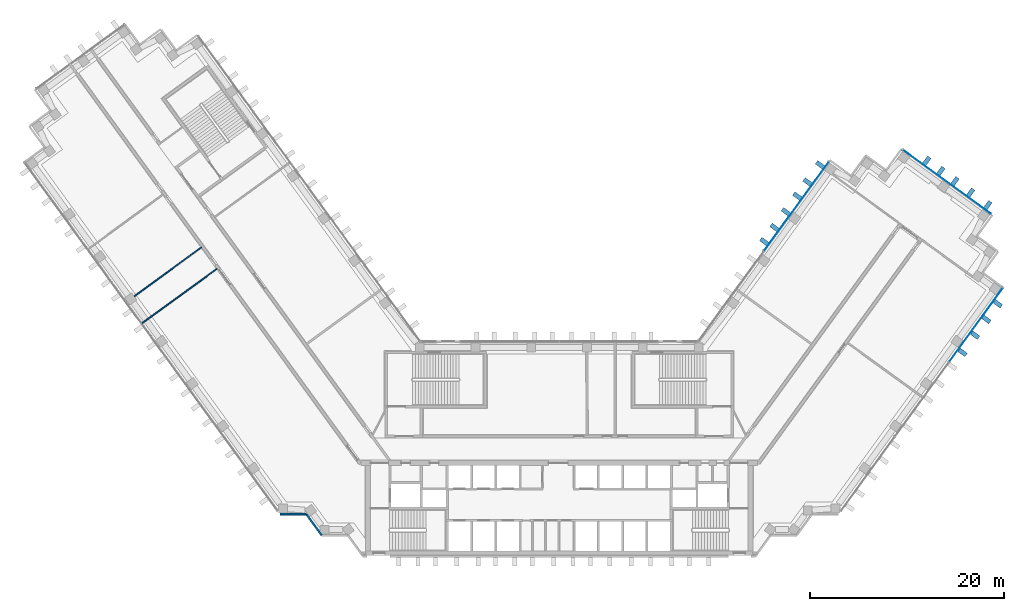
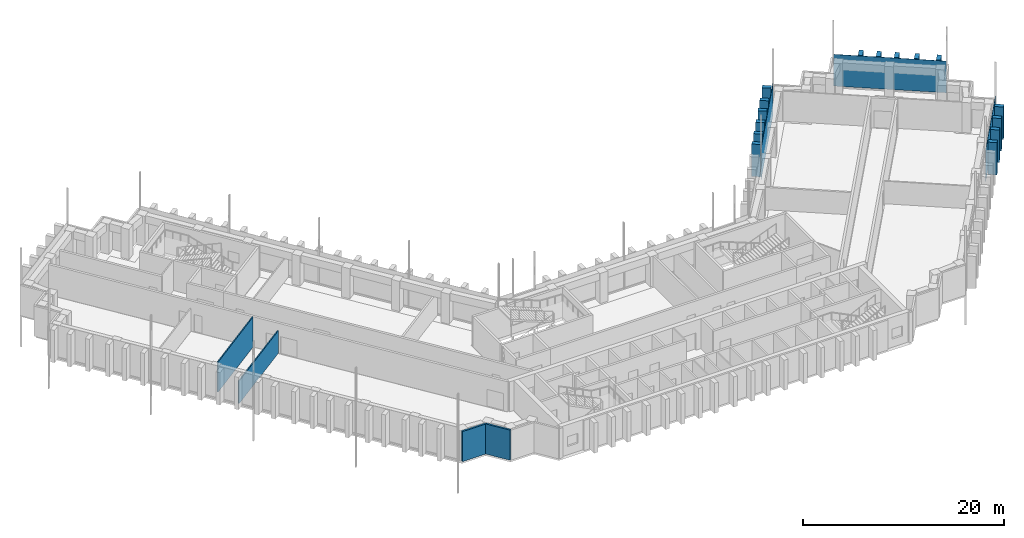
# One storey, part 8 of 16: 18 plates, 4 walls, 3 elements without a shape of their own.
"""IFC4 building model written with IfcOpenShell, lengths in metres."""

import ifcopenshell
import ifcopenshell.guid

model = None  # the IFC model being written
_history = None  # IfcOwnerHistory: only IFC2X3 demands one
_inside = {}  # id of a spatial element -> (the spatial element, [elements in it])
_under = {}  # id of a project, library or spatial element -> (it, [spatial elements below it])
_declared = {}  # id of a project -> (the project, [libraries it declares])
_typed = {}  # id of a type object -> (the type object, [elements of that type])
_made_of = {}  # id of a material, layer set ... -> (it, [elements and type objects made of it])


def new_model(schema):
    """Start an empty IFC model of exactly this schema.

    Asked for "IFC4X3", IfcOpenShell would pick the latest addendum, in which some entities
    have other attributes; the version numbers below select the first issue.
    IFC2X3 requires an IfcOwnerHistory on every rooted entity: one is made here for all.
    """
    global model, _history
    if schema == "IFC4X3":
        model = ifcopenshell.file(schema_version=(4, 3, 0, 0))
    else:
        model = ifcopenshell.file(schema=schema)
    _inside.clear()
    _under.clear()
    _declared.clear()
    _typed.clear()
    _made_of.clear()
    _history = None
    if model.schema == "IFC2X3":
        org = make("IfcOrganization", Name="unknown")
        user = make(
            "IfcPersonAndOrganization",
            ThePerson=make("IfcPerson", FamilyName="unknown"),
            TheOrganization=org,
        )
        app = make(
            "IfcApplication",
            ApplicationDeveloper=org,
            Version="unknown",
            ApplicationFullName="unknown",
            ApplicationIdentifier="unknown",
        )
        _history = make(
            "IfcOwnerHistory",
            OwningUser=user,
            OwningApplication=app,
            ChangeAction="ADDED",
            CreationDate=0,
        )
    return model


def make(cls, **values):
    """One entity of the class cls with the attributes given. An attribute that is None is left unset."""
    return model.create_entity(
        cls, **{name: value for name, value in values.items() if value is not None}
    )


def rooted(cls, **values):
    """An entity with a GlobalId (a new one), such as an element, a storey or a relation."""
    return make(cls, GlobalId=ifcopenshell.guid.new(), OwnerHistory=_history, **values)


def si_unit(unit_type, name, prefix=None):
    """IfcSIUnit, for example si_unit("LENGTHUNIT", "METRE", prefix="MILLI")."""
    return make("IfcSIUnit", UnitType=unit_type, Prefix=prefix, Name=name)


def assignment(units):
    """IfcUnitAssignment: the units of a project."""
    return None if units is None else make("IfcUnitAssignment", Units=units)


def point(xyz):
    """IfcCartesianPoint."""
    return None if xyz is None else make("IfcCartesianPoint", Coordinates=xyz)


def direction(xyz):
    """IfcDirection."""
    return None if xyz is None else make("IfcDirection", DirectionRatios=xyz)


def frame(location, z_axis=None, x_axis=None):
    """IfcAxis2Placement3D, a coordinate frame: its origin and axes. An axis left out is left unset."""
    return make(
        "IfcAxis2Placement3D",
        Location=point(location),
        Axis=direction(z_axis),
        RefDirection=direction(x_axis),
    )


def frame_2d(location, x_axis=None):
    """IfcAxis2Placement2D, a coordinate frame in the plane: its origin and x axis."""
    return make(
        "IfcAxis2Placement2D", Location=point(location), RefDirection=direction(x_axis)
    )


def origin():
    """The frame at (0, 0, 0) with its axes left unset."""
    return frame((0.0, 0.0, 0.0))


def origin_2d():
    """The frame at (0, 0) in the plane with its x axis left unset."""
    return frame_2d((0.0, 0.0))


def place(relative_to, where):
    """IfcLocalPlacement: puts the frame where relative to a parent placement (None: the world)."""
    return make(
        "IfcLocalPlacement", PlacementRelTo=relative_to, RelativePlacement=where
    )


def context(
    kind, dimensions, precision=None, world=None, true_north=None, identifier=None
):
    """IfcGeometricRepresentationContext, for example the 3D "Model" context."""
    return make(
        "IfcGeometricRepresentationContext",
        ContextIdentifier=identifier,
        ContextType=kind,
        CoordinateSpaceDimension=dimensions,
        Precision=precision,
        WorldCoordinateSystem=world,
        TrueNorth=true_north,
    )


def subcontext(parent, identifier, kind, view, scale=None):
    """IfcGeometricRepresentationSubContext, for example "Body" below "Model"."""
    return make(
        "IfcGeometricRepresentationSubContext",
        ContextIdentifier=identifier,
        ContextType=kind,
        ParentContext=parent,
        TargetScale=scale,
        TargetView=view,
    )


def project(units=None, contexts=None):
    """IfcProject with its units and contexts."""
    return rooted(
        "IfcProject",
        Name="project",
        RepresentationContexts=contexts,
        UnitsInContext=assignment(units),
    )


def spatial(cls, under=None, at=None, **own):
    """A site, building, storey or space (cls), placed at a placement, below another one or the project."""
    s = rooted(cls, ObjectPlacement=at, **own)
    if under is not None:
        _under.setdefault(under.id(), (under, []))[1].append(s)
    return s


def profile(cls, at=None, kind="AREA", **sizes):
    """A parametric profile (cls). Its sizes go by their IFC names, for example OverallWidth=200.0."""
    return make(cls, ProfileType=kind, Position=at, **sizes)


def rectangle(**sizes):
    """IfcRectangleProfileDef."""
    return profile("IfcRectangleProfileDef", **sizes)


def extrude(swept, where, along, depth):
    """IfcExtrudedAreaSolid: the profile swept, set in the frame where, extruded along a direction by depth."""
    return make(
        "IfcExtrudedAreaSolid",
        SweptArea=swept,
        Position=where,
        ExtrudedDirection=direction(along),
        Depth=depth,
    )


def shape(context_of_items, identifier, shape_type, items):
    """IfcShapeRepresentation: the items that make up one representation, for example the "Body"."""
    return make(
        "IfcShapeRepresentation",
        ContextOfItems=context_of_items,
        RepresentationIdentifier=identifier,
        RepresentationType=shape_type,
        Items=items,
    )


def material(Name=None, Category=None):
    """IfcMaterial."""
    return make("IfcMaterial", Name=Name, Category=Category)


def layer(
    of_material, thickness, ventilated=None, Name=None, Category=None, Priority=None
):
    """IfcMaterialLayer: one layer of a wall or slab, of a material (None: an air gap)."""
    return make(
        "IfcMaterialLayer",
        Material=of_material,
        LayerThickness=thickness,
        IsVentilated=ventilated,
        Name=Name,
        Category=Category,
        Priority=Priority,
    )


def layer_set(layers, Name=None):
    """IfcMaterialLayerSet."""
    return make("IfcMaterialLayerSet", MaterialLayers=layers, LayerSetName=Name)


def made_of(thing, what):
    """Note that an element or type object is made of a material, layer set ...; save() writes the relation."""
    if what is not None:
        _made_of.setdefault(what.id(), (what, []))[1].append(thing)
    return thing


def type_object(cls, material=None, **own):
    """A type object (cls), such as IfcWallType, which elements share."""
    return made_of(rooted(cls, **own), material)


def element(
    cls,
    number,
    at=None,
    inside=None,
    cuts=None,
    type_object=None,
    material=None,
    context=None,
    identifier="Body",
    shape_type=None,
    held_by="IfcProductDefinitionShape",
    body=None,
    shapes=None,
    **own,
):
    """One element of the class cls, such as IfcWall. Its Tag is "e" and its number.

    at: its placement. inside: the storey or other place that contains it. cuts: it is an
    opening in that element (IfcRelVoidsElement). A single representation is given by context,
    identifier, shape_type and body (its items); several are given by shapes. held_by: the class
    of the entity that holds the representations. save() writes the other relations.
    """
    e = rooted(cls, Tag="e%d" % number, ObjectPlacement=at, **own)
    if body is not None:
        shapes = [shape(context, identifier, shape_type, body)]
    if shapes is not None:
        e.Representation = make(held_by, Representations=shapes)
    if inside is not None:
        _inside.setdefault(inside.id(), (inside, []))[1].append(e)
    if cuts is not None:
        rooted(
            "IfcRelVoidsElement", RelatingBuildingElement=cuts, RelatedOpeningElement=e
        )
    if type_object is not None:
        _typed.setdefault(type_object.id(), (type_object, []))[1].append(e)
    return made_of(e, material)


def aggregate(whole, parts):
    """IfcRelAggregates: a whole, such as a stair, and the parts it consists of."""
    return rooted("IfcRelAggregates", RelatingObject=whole, RelatedObjects=parts)


def save(model, path):
    """Write the relations noted so far, then the file.

    IfcRelAggregates (storeys below a building ...), IfcRelContainedInSpatialStructure (elements
    in a storey), IfcRelDefinesByType, IfcRelAssociatesMaterial and IfcRelDeclares: one each for
    every whole, place, type object, material and project.
    """
    for whole, parts in _under.values():
        aggregate(whole, parts)
    for where, things in _inside.values():
        rooted(
            "IfcRelContainedInSpatialStructure",
            RelatedElements=things,
            RelatingStructure=where,
        )
    for kind, things in _typed.values():
        rooted("IfcRelDefinesByType", RelatedObjects=things, RelatingType=kind)
    for what, things in _made_of.values():
        rooted("IfcRelAssociatesMaterial", RelatedObjects=things, RelatingMaterial=what)
    for by, libraries in _declared.values():
        rooted("IfcRelDeclares", RelatingContext=by, RelatedDefinitions=libraries)
    model.write(path)


model = new_model("IFC4")

# Units and contexts
model_context = context("Model", 3, precision=1e-05, world=origin(), true_north=direction((0.0, 1.0)))
body_context = subcontext(model_context, "Body", "Model", "MODEL_VIEW")
ifc_project = project(units=[si_unit("LENGTHUNIT", "METRE"), si_unit("AREAUNIT", "SQUARE_METRE"), si_unit("VOLUMEUNIT", "CUBIC_METRE"), si_unit("PLANEANGLEUNIT", "RADIAN"), si_unit("MASSUNIT", "GRAM", prefix="KILO")], contexts=[model_context])

# Site, building, storey
site_placement = place(None, origin())
site = spatial("IfcSite", under=ifc_project, at=site_placement, CompositionType="ELEMENT")
building_placement = place(site_placement, origin())
building = spatial("IfcBuilding", under=site, at=building_placement, Name="Quipu Civic Tower", CompositionType="ELEMENT")
storey_placement = place(building_placement, frame((0.0, 0.0, 125.0)))
storey = spatial("IfcBuildingStorey", under=building, at=storey_placement, Name="L29", CompositionType="ELEMENT", Elevation=125.0)

# Curtain wall, plate
ifc_material_1 = material(Name="Insulated glass unit", Category="glass")
curtain_wall_type = type_object("IfcCurtainWallType", Name="Office curtain wall CW1", PredefinedType="NOTDEFINED", material=ifc_material_1)
curtain_wall_1_placement = place(storey_placement, origin())
curtain_wall_1 = element("IfcCurtainWall", 1, at=curtain_wall_1_placement, inside=storey, type_object=curtain_wall_type, Name="Office curtain wall CW1 L28 run 23", PredefinedType="NOTDEFINED")
ifc_material_2 = material(Name="Insulated glass unit", Category="glass")
ifc_layer_1 = layer(ifc_material_2, 0.028076171875)
ifc_layer_set_1 = layer_set([ifc_layer_1], Name="Insulated glass unit")
plate_type_1 = type_object("IfcPlateType", Name="Glass panel CW1", PredefinedType="CURTAIN_PANEL", material=ifc_layer_set_1)
plate_1_placement = place(storey_placement, frame((43.038818359375, 12.82568359375, 0.16015625), z_axis=(0.0, 0.0, 1.0), x_axis=(0.587785375786, 0.809016904652, 0.0)))
plate_1 = element("IfcPlate", 2, at=plate_1_placement, type_object=plate_type_1, Name="CW1 panel 3.2", PredefinedType="CURTAIN_PANEL", context=body_context, shape_type="SweptSolid", body=[
    extrude(rectangle(XDim=9.403564453125, YDim=0.028076171875, at=origin_2d()), origin(), (0.0, 0.0, 1.0), 3.840087890625),
])
aggregate(curtain_wall_1, [plate_1])

curtain_wall_2_placement = place(storey_placement, origin())
curtain_wall_2 = element("IfcCurtainWall", 3, at=curtain_wall_2_placement, inside=storey, type_object=curtain_wall_type, Name="Office curtain wall CW1 L28 run 25", PredefinedType="NOTDEFINED")
plate_2_placement = place(storey_placement, frame((40.04345703125, 27.58740234375, 0.16015625), z_axis=(0.0, 0.0, 1.0), x_axis=(-0.809015176832, 0.587787753918, 0.0)))
plate_2 = element("IfcPlate", 4, at=plate_2_placement, type_object=plate_type_1, Name="CW1 panel 1.2", PredefinedType="CURTAIN_PANEL", context=body_context, shape_type="SweptSolid", body=[
    extrude(rectangle(XDim=11.239990234375, YDim=0.028076171875, at=origin_2d()), origin(), (0.0, 0.0, 1.0), 3.840087890625),
])
aggregate(curtain_wall_2, [plate_2])

curtain_wall_3_placement = place(storey_placement, origin())
curtain_wall_3 = element("IfcCurtainWall", 5, at=curtain_wall_3_placement, inside=storey, type_object=curtain_wall_type, Name="Office curtain wall CW1 L28 run 30", PredefinedType="NOTDEFINED")
plate_3_placement = place(storey_placement, frame((24.491455078125, 25.066162109375, 0.16015625), z_axis=(0.0, 0.0, 1.0), x_axis=(-0.587788727052, -0.809014469803, 0.0)))
plate_3 = element("IfcPlate", 6, at=plate_3_placement, type_object=plate_type_1, Name="CW1 panel 1.2", PredefinedType="CURTAIN_PANEL", context=body_context, shape_type="SweptSolid", body=[
    extrude(rectangle(XDim=11.402099609375, YDim=0.028076171875, at=origin_2d()), origin(), (0.0, 0.0, 1.0), 3.840087890625),
])
aggregate(curtain_wall_3, [plate_3])

# Plates
ifc_material_3 = material(Name="Precast concrete C40/50", Category="concrete")
plate_type_2 = type_object("IfcPlateType", Name="Precast fin F1", PredefinedType="SHEET", material=ifc_material_3)
for number, where, z_axis, x_axis, name in (
    (7, (41.652587890625, 9.982177734375, 0.080078125), (0.0, 0.0, 1.0), (0.587785620359, 0.809016726959, 0.0), "Precast fin F1 L29.P27.11"),
    (8, (42.94580078125, 11.761962890625, 0.080078125), (0.0, 0.0, 1.0), (0.587785620359, 0.809016726959, 0.0), "Precast fin F1 L29.P27.12"),
    (9, (44.121337890625, 13.380126953125, 0.080078125), (0.0, 0.0, 1.0), (0.587785620359, 0.809016726959, 0.0), "Precast fin F1 L29.P27.13"),
    (10, (45.296875, 14.998046875, 0.080078125), (0.0, 0.0, 1.0), (0.587785620359, 0.809016726959, 0.0), "Precast fin F1 L29.P27.14"),
    (11, (44.270263671875, 25.1962890625, 0.080078125), (0.0, 0.0, 1.0), (-0.809017072762, 0.587785144401, 0.0), "Precast fin F1 L29.P29.1"),
    (12, (42.490478515625, 26.489501953125, 0.080078125), (0.0, 0.0, 1.0), (-0.809017072762, 0.587785144401, 0.0), "Precast fin F1 L29.P29.2"),
    (13, (40.872314453125, 27.6650390625, 0.080078125), (0.0, 0.0, 1.0), (-0.809017072762, 0.587785144401, 0.0), "Precast fin F1 L29.P29.3"),
    (14, (39.416259765625, 28.72314453125, 0.080078125), (0.0, 0.0, 1.0), (-0.809017072762, 0.587785144401, 0.0), "Precast fin F1 L29.P29.4"),
    (15, (37.9599609375, 29.781005859375, 0.080078125), (0.0, 0.0, 1.0), (-0.809017072762, 0.587785144401, 0.0), "Precast fin F1 L29.P29.5"),
    (16, (26.93017578125, 29.358642578125, 0.080078125), (0.0, 0.0, 1.0), (-0.587787133119, -0.809015627871, 0.0), "Precast fin F1 L29.P34.1"),
    (17, (25.636962890625, 27.578857421875, 0.080078125), (0.0, 0.0, 1.0), (-0.587787133119, -0.809015627871, 0.0), "Precast fin F1 L29.P34.2"),
    (18, (24.578857421875, 26.12255859375, 0.080078125), (0.0, 0.0, 1.0), (-0.587787133119, -0.809015627871, 0.0), "Precast fin F1 L29.P34.3"),
    (19, (23.4033203125, 24.50439453125, 0.080078125), (0.0, 0.0, 1.0), (-0.587787133119, -0.809015627871, 0.0), "Precast fin F1 L29.P34.4"),
    (20, (22.227783203125, 22.886474609375, 0.080078125), (0.0, 0.0, 1.0), (-0.587787133119, -0.809015627871, 0.0), "Precast fin F1 L29.P34.5"),
    (21, (21.169677734375, 21.43017578125, 0.080078125), (0.0, 0.0, 1.0), (-0.587787133119, -0.809015627871, 0.0), "Precast fin F1 L29.P34.6"),
):
    element("IfcPlate", number, at=place(storey_placement, frame(where, z_axis=z_axis, x_axis=x_axis)), inside=storey, type_object=plate_type_2, Name=name, PredefinedType="SHEET", context=body_context, shape_type="SweptSolid", body=[
        extrude(rectangle(XDim=0.449951171875, YDim=0.89990234375, at=origin_2d()), origin(), (0.0, 0.0, 1.0), 3.919921875),
    ])

# Walls
ifc_material_4 = material(Name="Gypsum plasterboard on light gauge framing")
ifc_layer_2 = layer(ifc_material_4, 0.1201171875)
ifc_layer_set_2 = layer_set([ifc_layer_2], Name="Gypsum plasterboard on light gauge framing")
wall_type_1 = type_object("IfcWallType", Name="Partition 120 plasterboard", PredefinedType="PARTITIONING", material=ifc_layer_set_2)
wall_1_placement = place(storey_placement, frame((-43.876220703125, 15.7734375, 0.0), z_axis=(0.0, 0.0, 1.0), x_axis=(0.807597163234, 0.589734535139, 0.0)))
element("IfcWall", 22, at=wall_1_placement, inside=storey, type_object=wall_type_1, Name="Partition P05", PredefinedType="PARTITIONING", context=body_context, shape_type="SweptSolid", body=[
    extrude(rectangle(XDim=8.59521484375, YDim=0.1201171875, at=frame_2d((4.297607421875, 0.0))), origin(), (0.0, 0.0, 1.0), 3.64990234375),
])
wall_2_placement = place(storey_placement, frame((-35.32421875, 18.624755859375, 0.0), z_axis=(0.0, 0.0, 1.0), x_axis=(-0.808998008689, -0.58781138296, 0.0)))
element("IfcWall", 23, at=wall_2_placement, inside=storey, type_object=wall_type_1, Name="Partition P10", PredefinedType="PARTITIONING", context=body_context, shape_type="SweptSolid", body=[
    extrude(rectangle(XDim=9.5498046875, YDim=0.1201171875, at=frame_2d((4.77490234375, 0.0))), origin(), (0.0, 0.0, 1.0), 2.75),
])
ifc_material_5 = material(Name="Precast concrete C40/50", Category="concrete")
wall_type_2 = type_object("IfcWallType", Name="Precast cladding wall", PredefinedType="SOLIDWALL", material=ifc_material_5)
wall_3_placement = place(storey_placement, frame((-28.829833984375, -6.71923828125, 0.0), z_axis=(0.0, 0.0, 1.0), x_axis=(1.0, 0.0, 0.0)))
element("IfcWall", 24, at=wall_3_placement, inside=storey, type_object=wall_type_2, Name="Precast cladding wall L29 P15", PredefinedType="SOLIDWALL", context=body_context, shape_type="SweptSolid", body=[
    extrude(rectangle(XDim=2.699951171875, YDim=0.199951171875, at=frame_2d((1.35009765625, 0.0))), origin(), (0.0, 0.0, 1.0), 3.64990234375),
])
wall_4_placement = place(storey_placement, frame((-26.1201171875, -6.72412109375, 0.0), z_axis=(0.0, 0.0, 1.0), x_axis=(0.587720002413, -0.809064397168, 0.0)))
element("IfcWall", 25, at=wall_4_placement, inside=storey, type_object=wall_type_2, Name="Precast cladding wall L29 P16", PredefinedType="SOLIDWALL", context=body_context, shape_type="SweptSolid", body=[
    extrude(rectangle(XDim=2.7001953125, YDim=0.199951171875, at=frame_2d((1.35009765625, 0.0))), origin(), (0.0, 0.0, 1.0), 3.64990234375),
])

save(model, "model.ifc")
